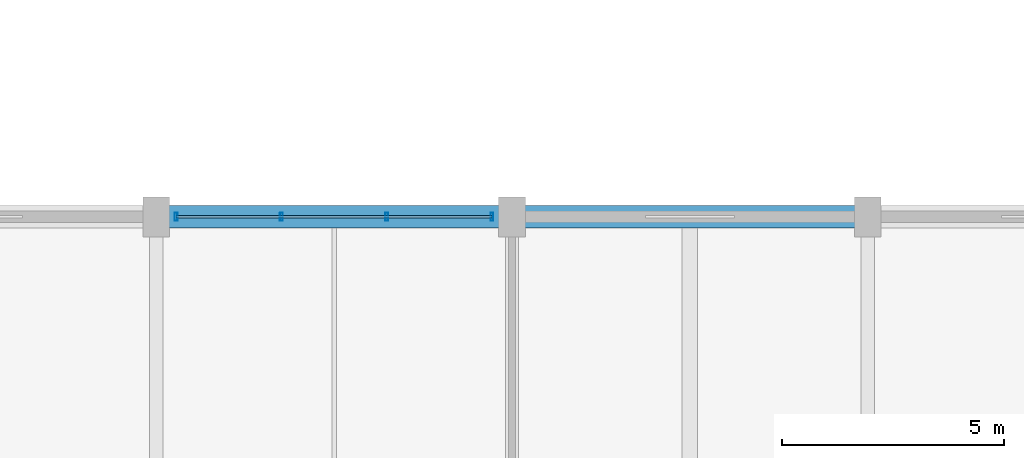
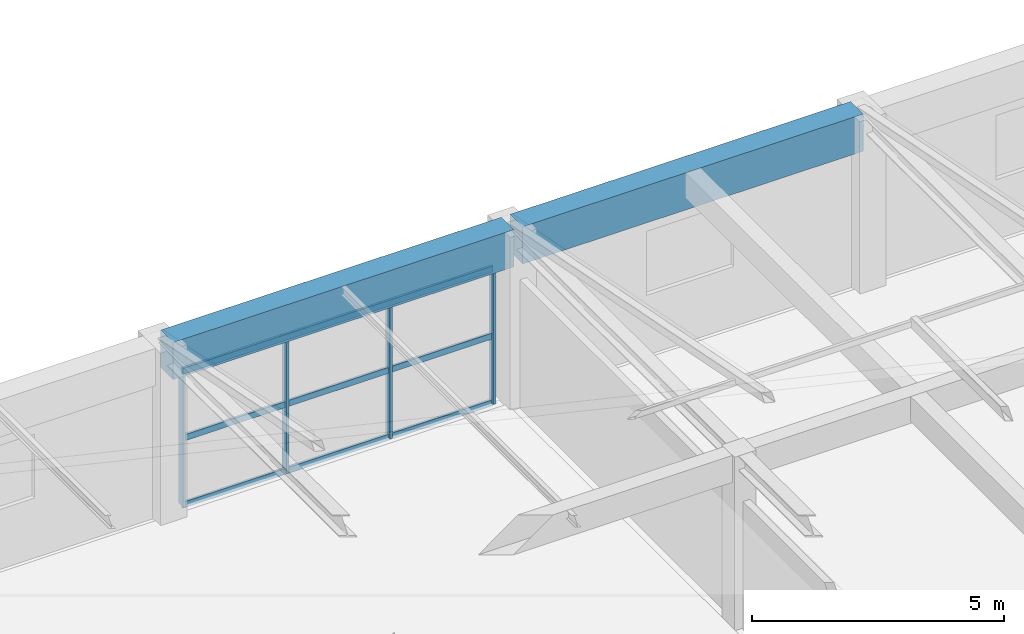
# One storey, part 21 of 65: 7 members, 2 beams, 1 element without a shape of its own.
"""IFC4 building model written with IfcOpenShell, lengths in metres."""

from ifc_helpers import new_model, si_unit, direction, frame, origin, origin_2d, place, context, subcontext, project, spatial, rectangle, hollow_rectangle, extrude, material, material_profile, profile_set, type_object, element, aggregate, save


model = new_model("IFC4")

# Units and contexts
model_context = context("Model", 3, precision=1e-05, world=origin(), true_north=direction((0.0, 1.0)))
body_context = subcontext(model_context, "Body", "Model", "MODEL_VIEW")
ifc_project = project(units=[si_unit("LENGTHUNIT", "METRE"), si_unit("AREAUNIT", "SQUARE_METRE"), si_unit("VOLUMEUNIT", "CUBIC_METRE"), si_unit("PLANEANGLEUNIT", "RADIAN"), si_unit("MASSUNIT", "GRAM", prefix="KILO")], contexts=[model_context])

# Site, building, storey
site_placement = place(None, origin())
site = spatial("IfcSite", under=ifc_project, at=site_placement, CompositionType="ELEMENT")
building_placement = place(site_placement, origin())
building = spatial("IfcBuilding", under=site, at=building_placement, Name="Varnabhumi Central Station", CompositionType="ELEMENT")
storey_placement = place(building_placement, frame((0.0, 0.0, 24.60009765625)))
storey = spatial("IfcBuildingStorey", under=building, at=storey_placement, Name="L05", CompositionType="ELEMENT", Elevation=24.60009765625)

# Beams
ifc_material_1 = material(Name="Concrete M40", Category="concrete")
ifc_material_profile_1 = material_profile(ifc_material_1, rectangle(XDim=0.5, YDim=0.89990234375, at=origin_2d()), Name="Concrete M40", Category="concrete")
ifc_profile_set_1 = profile_set([ifc_material_profile_1], Name="Concrete M40")
beam_type = type_object("IfcBeamType", Name="BM-RC-500x900", PredefinedType="BEAM", material=ifc_profile_set_1)
for number, where, z_axis, x_axis, name in (
    (1, (80.10009765625, 36.0, 3.75), (1.0, 0.0, 0.0), (0.0, 1.0, 0.0), "Beam L05-E:11-12"),
    (2, (88.10009765625, 36.0, 3.75), (1.0, 0.0, 0.0), (0.0, 1.0, 0.0), "Beam L05-E:12-13"),
):
    element("IfcBeam", number, at=place(storey_placement, frame(where, z_axis=z_axis, x_axis=x_axis)), inside=storey, type_object=beam_type, Name=name, PredefinedType="BEAM", context=body_context, shape_type="SweptSolid", body=[
        extrude(rectangle(XDim=0.5, YDim=0.89990234375, at=origin_2d()), origin(), (0.0, 0.0, 1.0), 7.7998046875),
    ])

# Curtain wall, members
ifc_material_2 = material(Name="Anodised aluminium 6063-T6", Category="aluminium")
curtain_wall_type = type_object("IfcCurtainWallType", Name="CW-SPINE-SCREEN-L0", PredefinedType="NOTDEFINED", material=ifc_material_2)
curtain_wall_placement = place(storey_placement, origin())
curtain_wall = element("IfcCurtainWall", 3, at=curtain_wall_placement, inside=storey, type_object=curtain_wall_type, Name="Curtain Wall CW-SS506", PredefinedType="NOTDEFINED")
ifc_material_profile_2 = material_profile(ifc_material_2, hollow_rectangle(XDim=0.06494140625, YDim=0.179931640625, WallThickness=0.00390625, InnerFilletRadius=0.001953125, OuterFilletRadius=0.006103515625, at=origin_2d()), Name="Anodised aluminium 6063-T6", Category="aluminium")
ifc_profile_set_2 = profile_set([ifc_material_profile_2], Name="Anodised aluminium 6063-T6")
member_type_1 = type_object("IfcMemberType", Name="CW-MUL-180", PredefinedType="MULLION", material=ifc_profile_set_2)
member_1_placement = place(storey_placement, frame((80.449951171875, 36.0, 0.0), z_axis=(0.0, 0.0, 1.0), x_axis=(1.0, 0.0, 0.0)))
member_1 = element("IfcMember", 4, at=member_1_placement, type_object=member_type_1, Name="Curtain Wall Mullion CW-SS506-M1", PredefinedType="MULLION", context=body_context, shape_type="SweptSolid", body=[
    extrude(hollow_rectangle(XDim=0.06494140625, YDim=0.179931640625, WallThickness=0.00390625, InnerFilletRadius=0.001953125, OuterFilletRadius=0.006103515625, at=origin_2d()), origin(), (0.0, 0.0, 1.0), 3.239990234375),
])
member_2_placement = place(storey_placement, frame((82.816650390625, 36.0, 0.0), z_axis=(0.0, 0.0, 1.0), x_axis=(1.0, 0.0, 0.0)))
member_2 = element("IfcMember", 5, at=member_2_placement, type_object=member_type_1, Name="Curtain Wall Mullion CW-SS506-M2", PredefinedType="MULLION", context=body_context, shape_type="SweptSolid", body=[
    extrude(hollow_rectangle(XDim=0.06494140625, YDim=0.179931640625, WallThickness=0.00390625, InnerFilletRadius=0.001953125, OuterFilletRadius=0.006103515625, at=origin_2d()), origin(), (0.0, 0.0, 1.0), 3.239990234375),
])
member_3_placement = place(storey_placement, frame((85.183349609375, 36.0, 0.0), z_axis=(0.0, 0.0, 1.0), x_axis=(1.0, 0.0, 0.0)))
member_3 = element("IfcMember", 6, at=member_3_placement, type_object=member_type_1, Name="Curtain Wall Mullion CW-SS506-M3", PredefinedType="MULLION", context=body_context, shape_type="SweptSolid", body=[
    extrude(hollow_rectangle(XDim=0.06494140625, YDim=0.179931640625, WallThickness=0.00390625, InnerFilletRadius=0.001953125, OuterFilletRadius=0.006103515625, at=origin_2d()), origin(), (0.0, 0.0, 1.0), 3.239990234375),
])
member_4_placement = place(storey_placement, frame((87.550048828125, 36.0, 0.0), z_axis=(0.0, 0.0, 1.0), x_axis=(1.0, 0.0, 0.0)))
member_4 = element("IfcMember", 7, at=member_4_placement, type_object=member_type_1, Name="Curtain Wall Mullion CW-SS506-M4", PredefinedType="MULLION", context=body_context, shape_type="SweptSolid", body=[
    extrude(hollow_rectangle(XDim=0.06494140625, YDim=0.179931640625, WallThickness=0.00390625, InnerFilletRadius=0.001953125, OuterFilletRadius=0.006103515625, at=origin_2d()), origin(), (0.0, 0.0, 1.0), 3.239990234375),
])
ifc_material_profile_3 = material_profile(ifc_material_2, hollow_rectangle(XDim=0.06005859375, YDim=0.14990234375, WallThickness=0.00390625, InnerFilletRadius=0.001953125, OuterFilletRadius=0.006103515625, at=origin_2d()), Name="Anodised aluminium 6063-T6", Category="aluminium")
ifc_profile_set_3 = profile_set([ifc_material_profile_3], Name="Anodised aluminium 6063-T6")
member_type_2 = type_object("IfcMemberType", Name="CW-TR-150", PredefinedType="USERDEFINED", material=ifc_profile_set_3)
member_5_placement = place(storey_placement, frame((80.449951171875, 36.0, 0.0), z_axis=(1.0, 0.0, 0.0), x_axis=(0.0, 1.0, 0.0)))
member_5 = element("IfcMember", 8, at=member_5_placement, type_object=member_type_2, Name="Curtain Wall Transom CW-SS506-T1", ObjectType="TRANSOM", PredefinedType="USERDEFINED", context=body_context, shape_type="SweptSolid", body=[
    extrude(hollow_rectangle(XDim=0.06005859375, YDim=0.14990234375, WallThickness=0.00390625, InnerFilletRadius=0.001953125, OuterFilletRadius=0.006103515625, at=origin_2d()), origin(), (0.0, 0.0, 1.0), 7.10009765625),
])
member_6_placement = place(storey_placement, frame((80.449951171875, 36.0, 1.619873046875), z_axis=(1.0, 0.0, 0.0), x_axis=(0.0, 1.0, 0.0)))
member_6 = element("IfcMember", 9, at=member_6_placement, type_object=member_type_2, Name="Curtain Wall Transom CW-SS506-T2", ObjectType="TRANSOM", PredefinedType="USERDEFINED", context=body_context, shape_type="SweptSolid", body=[
    extrude(hollow_rectangle(XDim=0.06005859375, YDim=0.14990234375, WallThickness=0.00390625, InnerFilletRadius=0.001953125, OuterFilletRadius=0.006103515625, at=origin_2d()), origin(), (0.0, 0.0, 1.0), 7.10009765625),
])
member_7_placement = place(storey_placement, frame((80.449951171875, 36.0, 3.239990234375), z_axis=(1.0, 0.0, 0.0), x_axis=(0.0, 1.0, 0.0)))
member_7 = element("IfcMember", 10, at=member_7_placement, type_object=member_type_2, Name="Curtain Wall Transom CW-SS506-T3", ObjectType="TRANSOM", PredefinedType="USERDEFINED", context=body_context, shape_type="SweptSolid", body=[
    extrude(hollow_rectangle(XDim=0.06005859375, YDim=0.14990234375, WallThickness=0.00390625, InnerFilletRadius=0.001953125, OuterFilletRadius=0.006103515625, at=origin_2d()), origin(), (0.0, 0.0, 1.0), 7.10009765625),
])
aggregate(curtain_wall, [member_1, member_2, member_3, member_4, member_5, member_6, member_7])

save(model, "model.ifc")
